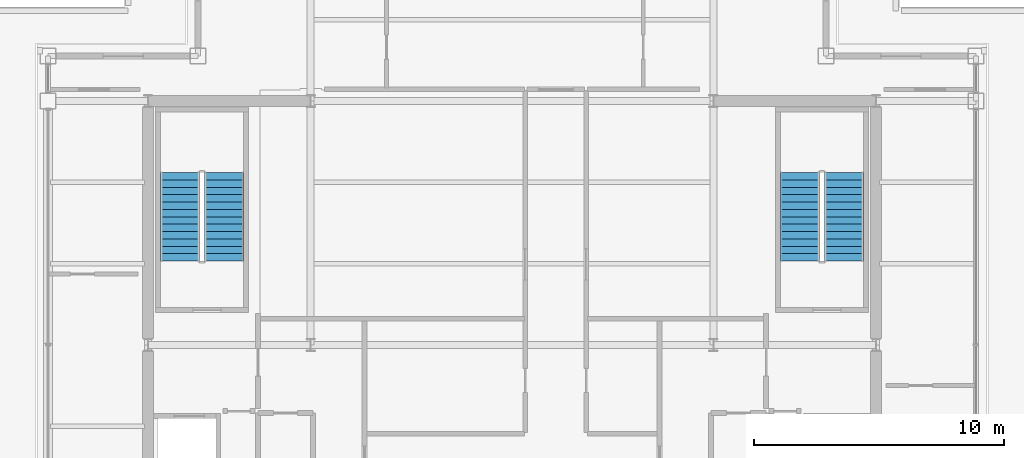
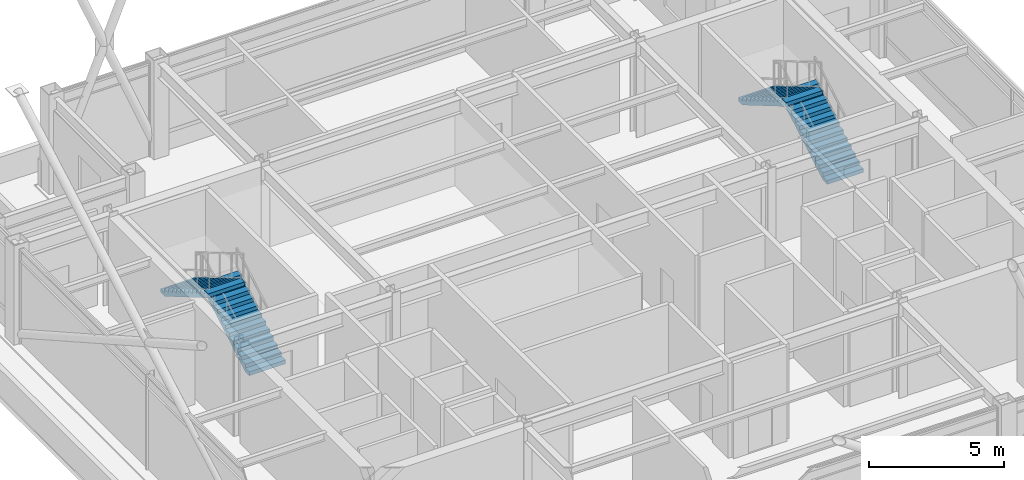
# One storey, part 18 of 19: 4 stair flights, 2 elements without a shape of their own.
"""IFC4 building model written with IfcOpenShell, lengths in metres."""

from ifc_helpers import new_model, si_unit, direction, frame, origin, place, context, subcontext, project, spatial, polyline, outline, extrude, material, type_object, element, aggregate, save


model = new_model("IFC4")

# Units and contexts
model_context = context("Model", 3, precision=1e-05, world=origin(), true_north=direction((0.0, 1.0)))
body_context = subcontext(model_context, "Body", "Model", "MODEL_VIEW")
ifc_project = project(units=[si_unit("LENGTHUNIT", "METRE"), si_unit("AREAUNIT", "SQUARE_METRE"), si_unit("VOLUMEUNIT", "CUBIC_METRE"), si_unit("PLANEANGLEUNIT", "RADIAN"), si_unit("MASSUNIT", "GRAM", prefix="KILO")], contexts=[model_context])

# Site, building, storey
site_placement = place(None, origin())
site = spatial("IfcSite", under=ifc_project, at=site_placement, CompositionType="ELEMENT")
building_placement = place(site_placement, origin())
building = spatial("IfcBuilding", under=site, at=building_placement, Name="Brelmoor Portico Tower", CompositionType="ELEMENT")
storey_placement = place(building_placement, frame((0.0, 0.0, 213.89990234375)))
storey = spatial("IfcBuildingStorey", under=building, at=storey_placement, Name="L56", CompositionType="ELEMENT", Elevation=213.89990234375)

# Stair, stair flights
ifc_material = material(Name="Concrete C40", Category="concrete")
stair_type_1 = type_object("IfcStairType", Name="ST-CORE-W", PredefinedType="HALF_TURN_STAIR", material=ifc_material)
stair_1_placement = place(storey_placement, origin())
stair_1 = element("IfcStair", 1, at=stair_1_placement, inside=storey, type_object=stair_type_1, Name="L56 Protected Core Exit Stair ST-W", PredefinedType="HALF_TURN_STAIR")
stair_flight_type = type_object("IfcStairFlightType", Name="SF-CORE-1850", PredefinedType="STRAIGHT", material=ifc_material)
stair_flight_1_placement = place(storey_placement, frame((-11.510009765625, 3.35009765625, 0.0), z_axis=(0.0, 0.0, 1.0), x_axis=(0.0, 1.0, 0.0)))
stair_flight_1 = element("IfcStairFlight", 2, at=stair_flight_1_placement, type_object=stair_flight_type, Name="ST-W flight 1", NumberOfRisers=13, NumberOfTreads=12, PredefinedType="STRAIGHT", RiserHeight=0.173076923, TreadLength=0.295, context=body_context, shape_type="SweptSolid", body=[
    extrude(outline(polyline([(0.0, 0.0), (0.0, 0.173095703125), (0.294921875, 0.173095703125), (0.294921875, 0.34619140625), (0.590087890625, 0.34619140625), (0.590087890625, 0.519287109375), (0.885009765625, 0.519287109375), (0.885009765625, 0.6923828125), (1.179931640625, 0.6923828125), (1.179931640625, 0.865478515625), (1.47509765625, 0.865478515625), (1.47509765625, 1.03857421875), (1.77001953125, 1.03857421875), (1.77001953125, 1.21142578125), (2.06494140625, 1.21142578125), (2.06494140625, 1.384521484375), (2.360107421875, 1.384521484375), (2.360107421875, 1.5576171875), (2.655029296875, 1.5576171875), (2.655029296875, 1.730712890625), (2.949951171875, 1.730712890625), (2.949951171875, 1.90380859375), (3.2451171875, 1.90380859375), (3.2451171875, 2.076904296875), (3.5400390625, 2.076904296875), (3.5400390625, 2.25), (3.5400390625, 1.903076171875), (0.296142578125, 0.0), (0.0, 0.0)])), frame((0.0, 0.780029296875, 0.0), z_axis=(0.0, -1.0, 0.0), x_axis=(1.0, 0.0, 0.0)), (0.0, 0.0, 1.0), 1.56005859375),
])
stair_flight_2_placement = place(storey_placement, frame((-13.27001953125, 6.889892578125, 2.25), z_axis=(0.0, 0.0, 1.0), x_axis=(0.0, -1.0, 0.0)))
stair_flight_2 = element("IfcStairFlight", 3, at=stair_flight_2_placement, type_object=stair_flight_type, Name="ST-W flight 2", NumberOfRisers=13, NumberOfTreads=12, PredefinedType="STRAIGHT", RiserHeight=0.173076923, TreadLength=0.295, context=body_context, shape_type="SweptSolid", body=[
    extrude(outline(polyline([(0.0, 0.0), (0.0, 0.173095703125), (0.294921875, 0.173095703125), (0.294921875, 0.34619140625), (0.590087890625, 0.34619140625), (0.590087890625, 0.519287109375), (0.885009765625, 0.519287109375), (0.885009765625, 0.6923828125), (1.179931640625, 0.6923828125), (1.179931640625, 0.865478515625), (1.47509765625, 0.865478515625), (1.47509765625, 1.03857421875), (1.77001953125, 1.03857421875), (1.77001953125, 1.21142578125), (2.06494140625, 1.21142578125), (2.06494140625, 1.384521484375), (2.360107421875, 1.384521484375), (2.360107421875, 1.5576171875), (2.655029296875, 1.5576171875), (2.655029296875, 1.730712890625), (2.949951171875, 1.730712890625), (2.949951171875, 1.90380859375), (3.2451171875, 1.90380859375), (3.2451171875, 2.076904296875), (3.5400390625, 2.076904296875), (3.5400390625, 2.25), (3.5400390625, 1.903076171875), (0.296142578125, 0.0), (0.0, 0.0)])), frame((0.0, 0.780029296875, 0.0), z_axis=(0.0, -1.0, 0.0), x_axis=(1.0, 0.0, 0.0)), (0.0, 0.0, 1.0), 1.56005859375),
])
aggregate(stair_1, [stair_flight_1, stair_flight_2])

stair_type_2 = type_object("IfcStairType", Name="ST-CORE-E", PredefinedType="HALF_TURN_STAIR", material=ifc_material)
stair_2_placement = place(storey_placement, origin())
stair_2 = element("IfcStair", 4, at=stair_2_placement, inside=storey, type_object=stair_type_2, Name="L56 Protected Core Exit Stair ST-E", PredefinedType="HALF_TURN_STAIR")
stair_flight_3_placement = place(storey_placement, frame((13.27001953125, 3.35009765625, 0.0), z_axis=(0.0, 0.0, 1.0), x_axis=(0.0, 1.0, 0.0)))
stair_flight_3 = element("IfcStairFlight", 5, at=stair_flight_3_placement, type_object=stair_flight_type, Name="ST-E flight 1", NumberOfRisers=13, NumberOfTreads=12, PredefinedType="STRAIGHT", RiserHeight=0.173076923, TreadLength=0.295, context=body_context, shape_type="SweptSolid", body=[
    extrude(outline(polyline([(0.0, 0.0), (0.0, 0.173095703125), (0.294921875, 0.173095703125), (0.294921875, 0.34619140625), (0.590087890625, 0.34619140625), (0.590087890625, 0.519287109375), (0.885009765625, 0.519287109375), (0.885009765625, 0.6923828125), (1.179931640625, 0.6923828125), (1.179931640625, 0.865478515625), (1.47509765625, 0.865478515625), (1.47509765625, 1.03857421875), (1.77001953125, 1.03857421875), (1.77001953125, 1.21142578125), (2.06494140625, 1.21142578125), (2.06494140625, 1.384521484375), (2.360107421875, 1.384521484375), (2.360107421875, 1.5576171875), (2.655029296875, 1.5576171875), (2.655029296875, 1.730712890625), (2.949951171875, 1.730712890625), (2.949951171875, 1.90380859375), (3.2451171875, 1.90380859375), (3.2451171875, 2.076904296875), (3.5400390625, 2.076904296875), (3.5400390625, 2.25), (3.5400390625, 1.903076171875), (0.296142578125, 0.0), (0.0, 0.0)])), frame((0.0, 0.780029296875, 0.0), z_axis=(0.0, -1.0, 0.0), x_axis=(1.0, 0.0, 0.0)), (0.0, 0.0, 1.0), 1.56005859375),
])
stair_flight_4_placement = place(storey_placement, frame((11.510009765625, 6.889892578125, 2.25), z_axis=(0.0, 0.0, 1.0), x_axis=(0.0, -1.0, 0.0)))
stair_flight_4 = element("IfcStairFlight", 6, at=stair_flight_4_placement, type_object=stair_flight_type, Name="ST-E flight 2", NumberOfRisers=13, NumberOfTreads=12, PredefinedType="STRAIGHT", RiserHeight=0.173076923, TreadLength=0.295, context=body_context, shape_type="SweptSolid", body=[
    extrude(outline(polyline([(0.0, 0.0), (0.0, 0.173095703125), (0.294921875, 0.173095703125), (0.294921875, 0.34619140625), (0.590087890625, 0.34619140625), (0.590087890625, 0.519287109375), (0.885009765625, 0.519287109375), (0.885009765625, 0.6923828125), (1.179931640625, 0.6923828125), (1.179931640625, 0.865478515625), (1.47509765625, 0.865478515625), (1.47509765625, 1.03857421875), (1.77001953125, 1.03857421875), (1.77001953125, 1.21142578125), (2.06494140625, 1.21142578125), (2.06494140625, 1.384521484375), (2.360107421875, 1.384521484375), (2.360107421875, 1.5576171875), (2.655029296875, 1.5576171875), (2.655029296875, 1.730712890625), (2.949951171875, 1.730712890625), (2.949951171875, 1.90380859375), (3.2451171875, 1.90380859375), (3.2451171875, 2.076904296875), (3.5400390625, 2.076904296875), (3.5400390625, 2.25), (3.5400390625, 1.903076171875), (0.296142578125, 0.0), (0.0, 0.0)])), frame((0.0, 0.780029296875, 0.0), z_axis=(0.0, -1.0, 0.0), x_axis=(1.0, 0.0, 0.0)), (0.0, 0.0, 1.0), 1.56005859375),
])
aggregate(stair_2, [stair_flight_3, stair_flight_4])

save(model, "model.ifc")
